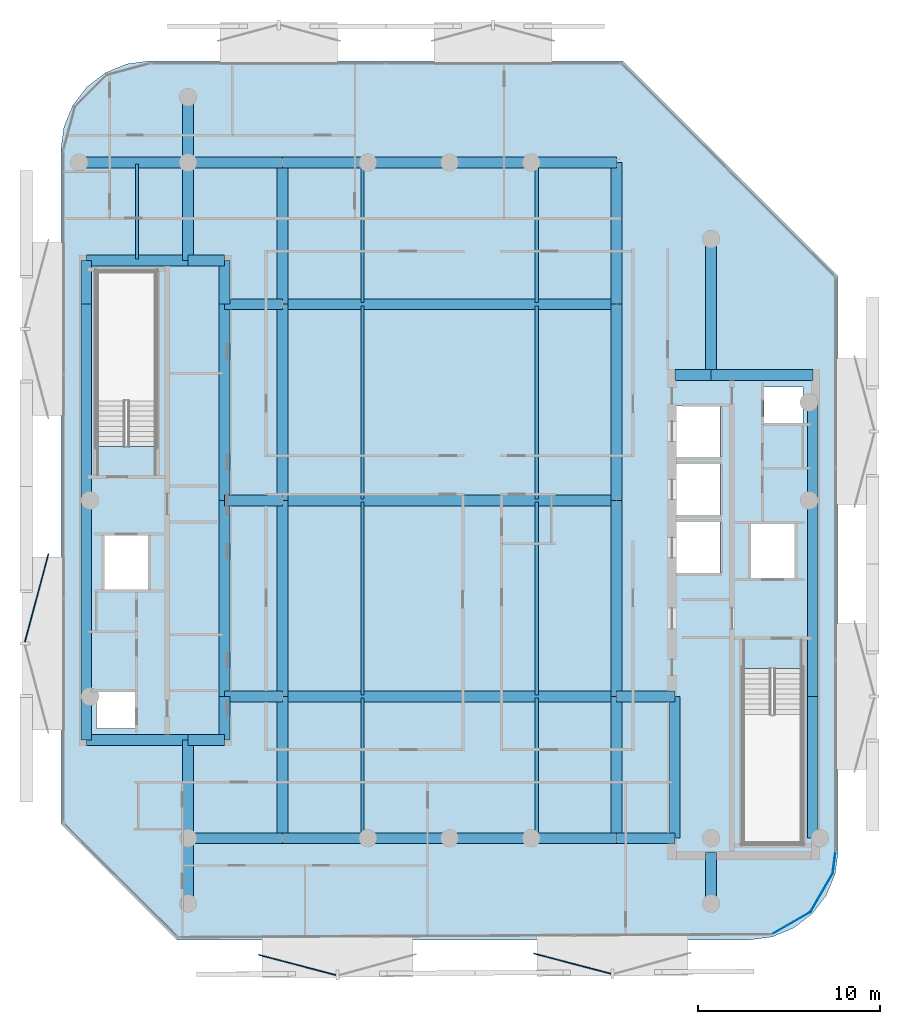
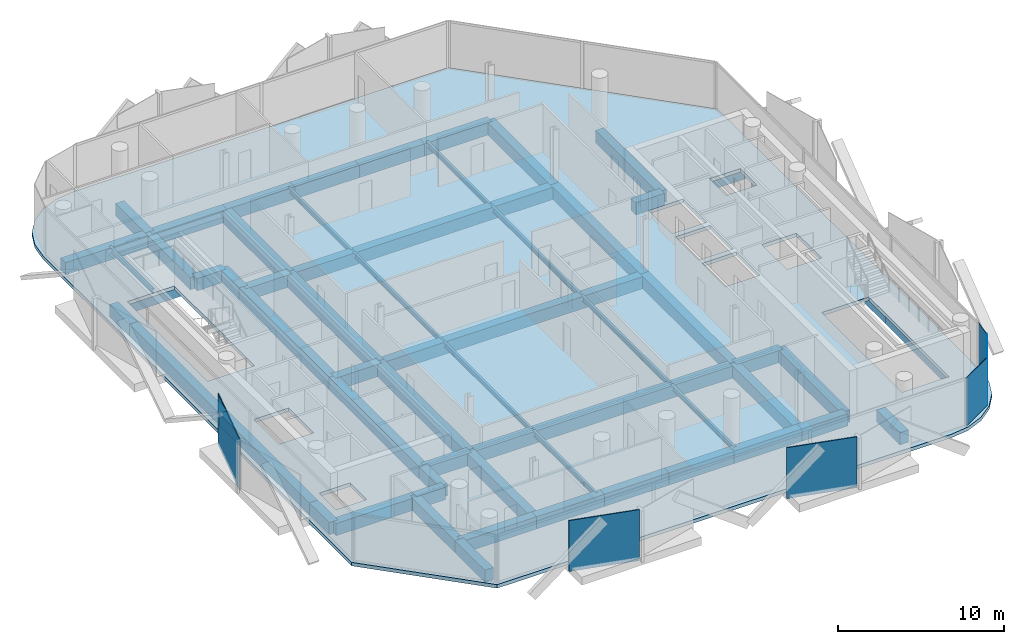
# One storey, part 3 of 15: 60 beams, 6 plates, 1 slab.
"""IFC4 building model written with IfcOpenShell, lengths in metres."""

from ifc_helpers import new_model, si_unit, direction, frame, origin, origin_2d, place, context, subcontext, project, spatial, polyline, rectangle, i_section, outline, extrude, material, layer, layer_set, material_profile, profile_set, type_object, element, save


model = new_model("IFC4")

# Units and contexts
model_context = context("Model", 3, precision=1e-05, world=origin(), true_north=direction((0.0, 1.0)))
body_context = subcontext(model_context, "Body", "Model", "MODEL_VIEW")
ifc_project = project(units=[si_unit("LENGTHUNIT", "METRE"), si_unit("AREAUNIT", "SQUARE_METRE"), si_unit("VOLUMEUNIT", "CUBIC_METRE"), si_unit("PLANEANGLEUNIT", "RADIAN"), si_unit("MASSUNIT", "GRAM", prefix="KILO")], contexts=[model_context])

# Site, building, storey
site_placement = place(None, origin())
site = spatial("IfcSite", under=ifc_project, at=site_placement, CompositionType="ELEMENT")
building_placement = place(site_placement, origin())
building = spatial("IfcBuilding", under=site, at=building_placement, Name="Khairoan Windgate Tower", CompositionType="ELEMENT")
storey_placement = place(building_placement, frame((0.0, 0.0, 289.0)))
storey = spatial("IfcBuildingStorey", under=building, at=storey_placement, Name="L69", CompositionType="ELEMENT", Elevation=289.0)

# Beams
ifc_material_1 = material(Name="Concrete C50/60", Category="concrete")
ifc_material_profile_1 = material_profile(ifc_material_1, rectangle(XDim=0.60009765625, YDim=0.89990234375, at=origin_2d()))
ifc_profile_set_1 = profile_set([ifc_material_profile_1], Name="Concrete C50/60")
beam_type_1 = type_object("IfcBeamType", Name="Beam B-RC1 RC600x900", PredefinedType="BEAM", material=ifc_profile_set_1)
beam_1_placement = place(storey_placement, frame((-14.39990234375, -18.60009765625, -0.7099609375), z_axis=(1.0, 0.0, 0.0), x_axis=(0.0, 1.0, 0.0)))
element("IfcBeam", 1, at=beam_1_placement, inside=storey, type_object=beam_type_1, Name="L69 E-W Primary Girder 01", PredefinedType="BEAM", context=body_context, shape_type="SweptSolid", body=[
    extrude(rectangle(XDim=0.60009765625, YDim=0.89990234375, at=origin_2d()), origin(), (0.0, 0.0, 1.0), 5.199951171875),
])
beam_2_placement = place(storey_placement, frame((-9.199951171875, -18.60009765625, -0.7099609375), z_axis=(1.0, 0.0, 0.0), x_axis=(0.0, 1.0, 0.0)))
element("IfcBeam", 2, at=beam_2_placement, inside=storey, type_object=beam_type_1, Name="L69 E-W Primary Girder 02", PredefinedType="BEAM", context=body_context, shape_type="SweptSolid", body=[
    extrude(rectangle(XDim=0.60009765625, YDim=0.89990234375, at=origin_2d()), origin(), (0.0, 0.0, 1.0), 4.699951171875),
])
for number, where, z_axis, x_axis, name in (
    (3, (-4.5, -18.60009765625, -0.7099609375), (1.0, 0.0, 0.0), (0.0, 1.0, 0.0), "L69 E-W Primary Girder 03"),
    (4, (0.0, -18.60009765625, -0.7099609375), (1.0, 0.0, 0.0), (0.0, 1.0, 0.0), "L69 E-W Primary Girder 04"),
):
    element("IfcBeam", number, at=place(storey_placement, frame(where, z_axis=z_axis, x_axis=x_axis)), inside=storey, type_object=beam_type_1, Name=name, PredefinedType="BEAM", context=body_context, shape_type="SweptSolid", body=[
        extrude(rectangle(XDim=0.60009765625, YDim=0.89990234375, at=origin_2d()), origin(), (0.0, 0.0, 1.0), 4.5),
    ])
beam_3_placement = place(storey_placement, frame((4.5, -18.60009765625, -0.7099609375), z_axis=(1.0, 0.0, 0.0), x_axis=(0.0, 1.0, 0.0)))
element("IfcBeam", 5, at=beam_3_placement, inside=storey, type_object=beam_type_1, Name="L69 E-W Primary Girder 05", PredefinedType="BEAM", context=body_context, shape_type="SweptSolid", body=[
    extrude(rectangle(XDim=0.60009765625, YDim=0.89990234375, at=origin_2d()), origin(), (0.0, 0.0, 1.0), 4.699951171875),
])
beam_4_placement = place(storey_placement, frame((9.199951171875, -18.60009765625, -0.7099609375), z_axis=(1.0, 0.0, 0.0), x_axis=(0.0, 1.0, 0.0)))
element("IfcBeam", 6, at=beam_4_placement, inside=storey, type_object=beam_type_1, Name="L69 E-W Primary Girder 06", PredefinedType="BEAM", context=body_context, shape_type="SweptSolid", body=[
    extrude(rectangle(XDim=0.60009765625, YDim=0.89990234375, at=origin_2d()), origin(), (0.0, 0.0, 1.0), 3.199951171875),
])
beam_5_placement = place(storey_placement, frame((-20.0, -13.199951171875, -0.7099609375), z_axis=(1.0, 0.0, 0.0), x_axis=(0.0, 1.0, 0.0)))
element("IfcBeam", 7, at=beam_5_placement, inside=storey, type_object=beam_type_1, Name="L69 E-W Primary Girder 07", PredefinedType="BEAM", context=body_context, shape_type="SweptSolid", body=[
    extrude(rectangle(XDim=0.60009765625, YDim=0.89990234375, at=origin_2d()), origin(), (0.0, 0.0, 1.0), 5.60009765625),
])
beam_6_placement = place(storey_placement, frame((-14.39990234375, -13.199951171875, -0.7099609375), z_axis=(1.0, 0.0, 0.0), x_axis=(0.0, 1.0, 0.0)))
element("IfcBeam", 8, at=beam_6_placement, inside=storey, type_object=beam_type_1, Name="L69 E-W Primary Girder 08", PredefinedType="BEAM", context=body_context, shape_type="SweptSolid", body=[
    extrude(rectangle(XDim=0.60009765625, YDim=0.89990234375, at=origin_2d()), origin(), (0.0, 0.0, 1.0), 2.0),
])
beam_7_placement = place(storey_placement, frame((-12.39990234375, -10.800048828125, -0.7099609375), z_axis=(1.0, 0.0, 0.0), x_axis=(0.0, 1.0, 0.0)))
element("IfcBeam", 9, at=beam_7_placement, inside=storey, type_object=beam_type_1, Name="L69 E-W Primary Girder 09", PredefinedType="BEAM", context=body_context, shape_type="SweptSolid", body=[
    extrude(rectangle(XDim=0.60009765625, YDim=0.89990234375, at=origin_2d()), origin(), (0.0, 0.0, 1.0), 3.199951171875),
])
beam_8_placement = place(storey_placement, frame((-9.199951171875, -10.800048828125, -0.7099609375), z_axis=(1.0, 0.0, 0.0), x_axis=(0.0, 1.0, 0.0)))
element("IfcBeam", 10, at=beam_8_placement, inside=storey, type_object=beam_type_1, Name="L69 E-W Primary Girder 10", PredefinedType="BEAM", context=body_context, shape_type="SweptSolid", body=[
    extrude(rectangle(XDim=0.60009765625, YDim=0.89990234375, at=origin_2d()), origin(), (0.0, 0.0, 1.0), 18.39990234375),
])
for number, where, z_axis, x_axis, name in (
    (11, (9.199951171875, -10.800048828125, -0.7099609375), (1.0, 0.0, 0.0), (0.0, 1.0, 0.0), "L69 E-W Primary Girder 11"),
    (12, (-12.39990234375, 0.0, -0.7099609375), (1.0, 0.0, 0.0), (0.0, 1.0, 0.0), "L69 E-W Primary Girder 12"),
):
    element("IfcBeam", number, at=place(storey_placement, frame(where, z_axis=z_axis, x_axis=x_axis)), inside=storey, type_object=beam_type_1, Name=name, PredefinedType="BEAM", context=body_context, shape_type="SweptSolid", body=[
        extrude(rectangle(XDim=0.60009765625, YDim=0.89990234375, at=origin_2d()), origin(), (0.0, 0.0, 1.0), 3.199951171875),
    ])
beam_9_placement = place(storey_placement, frame((-9.199951171875, 0.0, -0.7099609375), z_axis=(1.0, 0.0, 0.0), x_axis=(0.0, 1.0, 0.0)))
element("IfcBeam", 13, at=beam_9_placement, inside=storey, type_object=beam_type_1, Name="L69 E-W Primary Girder 13", PredefinedType="BEAM", context=body_context, shape_type="SweptSolid", body=[
    extrude(rectangle(XDim=0.60009765625, YDim=0.89990234375, at=origin_2d()), origin(), (0.0, 0.0, 1.0), 18.39990234375),
])
beam_10_placement = place(storey_placement, frame((12.39990234375, 6.89990234375, -0.7099609375), z_axis=(1.0, 0.0, 0.0), x_axis=(0.0, 1.0, 0.0)))
element("IfcBeam", 14, at=beam_10_placement, inside=storey, type_object=beam_type_1, Name="L69 E-W Primary Girder 14", PredefinedType="BEAM", context=body_context, shape_type="SweptSolid", body=[
    extrude(rectangle(XDim=0.60009765625, YDim=0.89990234375, at=origin_2d()), origin(), (0.0, 0.0, 1.0), 2.0),
])
beam_11_placement = place(storey_placement, frame((14.39990234375, 6.89990234375, -0.7099609375), z_axis=(1.0, 0.0, 0.0), x_axis=(0.0, 1.0, 0.0)))
element("IfcBeam", 15, at=beam_11_placement, inside=storey, type_object=beam_type_1, Name="L69 E-W Primary Girder 15", PredefinedType="BEAM", context=body_context, shape_type="SweptSolid", body=[
    extrude(rectangle(XDim=0.60009765625, YDim=0.89990234375, at=origin_2d()), origin(), (0.0, 0.0, 1.0), 5.60009765625),
])
beam_12_placement = place(storey_placement, frame((-12.39990234375, 10.800048828125, -0.7099609375), z_axis=(1.0, 0.0, 0.0), x_axis=(0.0, 1.0, 0.0)))
element("IfcBeam", 16, at=beam_12_placement, inside=storey, type_object=beam_type_1, Name="L69 E-W Primary Girder 16", PredefinedType="BEAM", context=body_context, shape_type="SweptSolid", body=[
    extrude(rectangle(XDim=0.60009765625, YDim=0.89990234375, at=origin_2d()), origin(), (0.0, 0.0, 1.0), 3.199951171875),
])
beam_13_placement = place(storey_placement, frame((-9.199951171875, 10.800048828125, -0.7099609375), z_axis=(1.0, 0.0, 0.0), x_axis=(0.0, 1.0, 0.0)))
element("IfcBeam", 17, at=beam_13_placement, inside=storey, type_object=beam_type_1, Name="L69 E-W Primary Girder 17", PredefinedType="BEAM", context=body_context, shape_type="SweptSolid", body=[
    extrude(rectangle(XDim=0.60009765625, YDim=0.89990234375, at=origin_2d()), origin(), (0.0, 0.0, 1.0), 18.39990234375),
])
beam_14_placement = place(storey_placement, frame((-20.0, 13.199951171875, -0.7099609375), z_axis=(1.0, 0.0, 0.0), x_axis=(0.0, 1.0, 0.0)))
element("IfcBeam", 18, at=beam_14_placement, inside=storey, type_object=beam_type_1, Name="L69 E-W Primary Girder 18", PredefinedType="BEAM", context=body_context, shape_type="SweptSolid", body=[
    extrude(rectangle(XDim=0.60009765625, YDim=0.89990234375, at=origin_2d()), origin(), (0.0, 0.0, 1.0), 5.60009765625),
])
beam_15_placement = place(storey_placement, frame((-14.39990234375, 13.199951171875, -0.7099609375), z_axis=(1.0, 0.0, 0.0), x_axis=(0.0, 1.0, 0.0)))
element("IfcBeam", 19, at=beam_15_placement, inside=storey, type_object=beam_type_1, Name="L69 E-W Primary Girder 19", PredefinedType="BEAM", context=body_context, shape_type="SweptSolid", body=[
    extrude(rectangle(XDim=0.60009765625, YDim=0.89990234375, at=origin_2d()), origin(), (0.0, 0.0, 1.0), 2.0),
])
beam_16_placement = place(storey_placement, frame((-20.39990234375, 18.60009765625, -0.7099609375), z_axis=(1.0, 0.0, 0.0), x_axis=(0.0, 1.0, 0.0)))
element("IfcBeam", 20, at=beam_16_placement, inside=storey, type_object=beam_type_1, Name="L69 E-W Primary Girder 20", PredefinedType="BEAM", context=body_context, shape_type="SweptSolid", body=[
    extrude(rectangle(XDim=0.60009765625, YDim=0.89990234375, at=origin_2d()), origin(), (0.0, 0.0, 1.0), 6.0),
])
beam_17_placement = place(storey_placement, frame((-14.39990234375, 18.60009765625, -0.7099609375), z_axis=(1.0, 0.0, 0.0), x_axis=(0.0, 1.0, 0.0)))
element("IfcBeam", 21, at=beam_17_placement, inside=storey, type_object=beam_type_1, Name="L69 E-W Primary Girder 21", PredefinedType="BEAM", context=body_context, shape_type="SweptSolid", body=[
    extrude(rectangle(XDim=0.60009765625, YDim=0.89990234375, at=origin_2d()), origin(), (0.0, 0.0, 1.0), 5.199951171875),
])
beam_18_placement = place(storey_placement, frame((-9.199951171875, 18.60009765625, -0.7099609375), z_axis=(1.0, 0.0, 0.0), x_axis=(0.0, 1.0, 0.0)))
element("IfcBeam", 22, at=beam_18_placement, inside=storey, type_object=beam_type_1, Name="L69 E-W Primary Girder 22", PredefinedType="BEAM", context=body_context, shape_type="SweptSolid", body=[
    extrude(rectangle(XDim=0.60009765625, YDim=0.89990234375, at=origin_2d()), origin(), (0.0, 0.0, 1.0), 4.699951171875),
])
for number, where, z_axis, x_axis, name in (
    (23, (-4.5, 18.60009765625, -0.7099609375), (1.0, 0.0, 0.0), (0.0, 1.0, 0.0), "L69 E-W Primary Girder 23"),
    (24, (0.0, 18.60009765625, -0.7099609375), (1.0, 0.0, 0.0), (0.0, 1.0, 0.0), "L69 E-W Primary Girder 24"),
):
    element("IfcBeam", number, at=place(storey_placement, frame(where, z_axis=z_axis, x_axis=x_axis)), inside=storey, type_object=beam_type_1, Name=name, PredefinedType="BEAM", context=body_context, shape_type="SweptSolid", body=[
        extrude(rectangle(XDim=0.60009765625, YDim=0.89990234375, at=origin_2d()), origin(), (0.0, 0.0, 1.0), 4.5),
    ])
beam_19_placement = place(storey_placement, frame((4.5, 18.60009765625, -0.7099609375), z_axis=(1.0, 0.0, 0.0), x_axis=(0.0, 1.0, 0.0)))
element("IfcBeam", 25, at=beam_19_placement, inside=storey, type_object=beam_type_1, Name="L69 E-W Primary Girder 25", PredefinedType="BEAM", context=body_context, shape_type="SweptSolid", body=[
    extrude(rectangle(XDim=0.60009765625, YDim=0.89990234375, at=origin_2d()), origin(), (0.0, 0.0, 1.0), 4.699951171875),
])
beam_20_placement = place(storey_placement, frame((-20.0, -13.199951171875, -0.7099609375), z_axis=(0.0, 1.0, 0.0), x_axis=(-1.0, 0.0, 0.0)))
element("IfcBeam", 26, at=beam_20_placement, inside=storey, type_object=beam_type_1, Name="L69 N-S Primary Beam 26", PredefinedType="BEAM", context=body_context, shape_type="SweptSolid", body=[
    extrude(rectangle(XDim=0.60009765625, YDim=0.89990234375, at=origin_2d()), origin(), (0.0, 0.0, 1.0), 2.39990234375),
])
for number, where, z_axis, x_axis, name in (
    (27, (-20.0, -10.800048828125, -0.7099609375), (0.0, 1.0, 0.0), (-1.0, 0.0, 0.0), "L69 N-S Primary Beam 27"),
    (28, (-20.0, 0.0, -0.7099609375), (0.0, 1.0, 0.0), (-1.0, 0.0, 0.0), "L69 N-S Primary Beam 28"),
):
    element("IfcBeam", number, at=place(storey_placement, frame(where, z_axis=z_axis, x_axis=x_axis)), inside=storey, type_object=beam_type_1, Name=name, PredefinedType="BEAM", context=body_context, shape_type="SweptSolid", body=[
        extrude(rectangle(XDim=0.60009765625, YDim=0.89990234375, at=origin_2d()), origin(), (0.0, 0.0, 1.0), 10.800048828125),
    ])
beam_21_placement = place(storey_placement, frame((-20.0, 10.800048828125, -0.7099609375), z_axis=(0.0, 1.0, 0.0), x_axis=(-1.0, 0.0, 0.0)))
element("IfcBeam", 29, at=beam_21_placement, inside=storey, type_object=beam_type_1, Name="L69 N-S Primary Beam 29", PredefinedType="BEAM", context=body_context, shape_type="SweptSolid", body=[
    extrude(rectangle(XDim=0.60009765625, YDim=0.89990234375, at=origin_2d()), origin(), (0.0, 0.0, 1.0), 2.39990234375),
])
beam_22_placement = place(storey_placement, frame((-14.39990234375, -22.199951171875, -0.7099609375), z_axis=(0.0, 1.0, 0.0), x_axis=(-1.0, 0.0, 0.0)))
element("IfcBeam", 30, at=beam_22_placement, inside=storey, type_object=beam_type_1, Name="L69 N-S Primary Beam 30", PredefinedType="BEAM", context=body_context, shape_type="SweptSolid", body=[
    extrude(rectangle(XDim=0.60009765625, YDim=0.89990234375, at=origin_2d()), origin(), (0.0, 0.0, 1.0), 3.599853515625),
])
for number, where, z_axis, x_axis, name in (
    (31, (-14.39990234375, -18.60009765625, -0.7099609375), (0.0, 1.0, 0.0), (-1.0, 0.0, 0.0), "L69 N-S Primary Beam 31"),
    (32, (-14.39990234375, 13.199951171875, -0.7099609375), (0.0, 1.0, 0.0), (-1.0, 0.0, 0.0), "L69 N-S Primary Beam 32"),
):
    element("IfcBeam", number, at=place(storey_placement, frame(where, z_axis=z_axis, x_axis=x_axis)), inside=storey, type_object=beam_type_1, Name=name, PredefinedType="BEAM", context=body_context, shape_type="SweptSolid", body=[
        extrude(rectangle(XDim=0.60009765625, YDim=0.89990234375, at=origin_2d()), origin(), (0.0, 0.0, 1.0), 5.400146484375),
    ])
beam_23_placement = place(storey_placement, frame((-14.39990234375, 18.60009765625, -0.7099609375), z_axis=(0.0, 1.0, 0.0), x_axis=(-1.0, 0.0, 0.0)))
element("IfcBeam", 33, at=beam_23_placement, inside=storey, type_object=beam_type_1, Name="L69 N-S Primary Beam 33", PredefinedType="BEAM", context=body_context, shape_type="SweptSolid", body=[
    extrude(rectangle(XDim=0.60009765625, YDim=0.89990234375, at=origin_2d()), origin(), (0.0, 0.0, 1.0), 3.599853515625),
])
beam_24_placement = place(storey_placement, frame((-12.39990234375, -13.199951171875, -0.7099609375), z_axis=(0.0, 1.0, 0.0), x_axis=(-1.0, 0.0, 0.0)))
element("IfcBeam", 34, at=beam_24_placement, inside=storey, type_object=beam_type_1, Name="L69 N-S Primary Beam 34", PredefinedType="BEAM", context=body_context, shape_type="SweptSolid", body=[
    extrude(rectangle(XDim=0.60009765625, YDim=0.89990234375, at=origin_2d()), origin(), (0.0, 0.0, 1.0), 2.39990234375),
])
for number, where, z_axis, x_axis, name in (
    (35, (-12.39990234375, -10.800048828125, -0.7099609375), (0.0, 1.0, 0.0), (-1.0, 0.0, 0.0), "L69 N-S Primary Beam 35"),
    (36, (-12.39990234375, 0.0, -0.7099609375), (0.0, 1.0, 0.0), (-1.0, 0.0, 0.0), "L69 N-S Primary Beam 36"),
):
    element("IfcBeam", number, at=place(storey_placement, frame(where, z_axis=z_axis, x_axis=x_axis)), inside=storey, type_object=beam_type_1, Name=name, PredefinedType="BEAM", context=body_context, shape_type="SweptSolid", body=[
        extrude(rectangle(XDim=0.60009765625, YDim=0.89990234375, at=origin_2d()), origin(), (0.0, 0.0, 1.0), 10.800048828125),
    ])
beam_25_placement = place(storey_placement, frame((-12.39990234375, 10.800048828125, -0.7099609375), z_axis=(0.0, 1.0, 0.0), x_axis=(-1.0, 0.0, 0.0)))
element("IfcBeam", 37, at=beam_25_placement, inside=storey, type_object=beam_type_1, Name="L69 N-S Primary Beam 37", PredefinedType="BEAM", context=body_context, shape_type="SweptSolid", body=[
    extrude(rectangle(XDim=0.60009765625, YDim=0.89990234375, at=origin_2d()), origin(), (0.0, 0.0, 1.0), 2.39990234375),
])
beam_26_placement = place(storey_placement, frame((-9.199951171875, -18.60009765625, -0.7099609375), z_axis=(0.0, 1.0, 0.0), x_axis=(-1.0, 0.0, 0.0)))
element("IfcBeam", 38, at=beam_26_placement, inside=storey, type_object=beam_type_1, Name="L69 N-S Primary Beam 38", PredefinedType="BEAM", context=body_context, shape_type="SweptSolid", body=[
    extrude(rectangle(XDim=0.60009765625, YDim=0.89990234375, at=origin_2d()), origin(), (0.0, 0.0, 1.0), 7.800048828125),
])
for number, where, z_axis, x_axis, name in (
    (39, (-9.199951171875, -10.800048828125, -0.7099609375), (0.0, 1.0, 0.0), (-1.0, 0.0, 0.0), "L69 N-S Primary Beam 39"),
    (40, (-9.199951171875, 0.0, -0.7099609375), (0.0, 1.0, 0.0), (-1.0, 0.0, 0.0), "L69 N-S Primary Beam 40"),
):
    element("IfcBeam", number, at=place(storey_placement, frame(where, z_axis=z_axis, x_axis=x_axis)), inside=storey, type_object=beam_type_1, Name=name, PredefinedType="BEAM", context=body_context, shape_type="SweptSolid", body=[
        extrude(rectangle(XDim=0.60009765625, YDim=0.89990234375, at=origin_2d()), origin(), (0.0, 0.0, 1.0), 10.800048828125),
    ])
for number, where, z_axis, x_axis, name in (
    (41, (-9.199951171875, 10.800048828125, -0.7099609375), (0.0, 1.0, 0.0), (-1.0, 0.0, 0.0), "L69 N-S Primary Beam 41"),
    (42, (9.199951171875, -18.60009765625, -0.7099609375), (0.0, 1.0, 0.0), (-1.0, 0.0, 0.0), "L69 N-S Primary Beam 42"),
):
    element("IfcBeam", number, at=place(storey_placement, frame(where, z_axis=z_axis, x_axis=x_axis)), inside=storey, type_object=beam_type_1, Name=name, PredefinedType="BEAM", context=body_context, shape_type="SweptSolid", body=[
        extrude(rectangle(XDim=0.60009765625, YDim=0.89990234375, at=origin_2d()), origin(), (0.0, 0.0, 1.0), 7.800048828125),
    ])
for number, where, z_axis, x_axis, name in (
    (43, (9.199951171875, -10.800048828125, -0.7099609375), (0.0, 1.0, 0.0), (-1.0, 0.0, 0.0), "L69 N-S Primary Beam 43"),
    (44, (9.199951171875, 0.0, -0.7099609375), (0.0, 1.0, 0.0), (-1.0, 0.0, 0.0), "L69 N-S Primary Beam 44"),
):
    element("IfcBeam", number, at=place(storey_placement, frame(where, z_axis=z_axis, x_axis=x_axis)), inside=storey, type_object=beam_type_1, Name=name, PredefinedType="BEAM", context=body_context, shape_type="SweptSolid", body=[
        extrude(rectangle(XDim=0.60009765625, YDim=0.89990234375, at=origin_2d()), origin(), (0.0, 0.0, 1.0), 10.800048828125),
    ])
for number, where, z_axis, x_axis, name in (
    (45, (9.199951171875, 10.800048828125, -0.7099609375), (0.0, 1.0, 0.0), (-1.0, 0.0, 0.0), "L69 N-S Primary Beam 45"),
    (46, (12.39990234375, -18.60009765625, -0.7099609375), (0.0, 1.0, 0.0), (-1.0, 0.0, 0.0), "L69 N-S Primary Beam 46"),
):
    element("IfcBeam", number, at=place(storey_placement, frame(where, z_axis=z_axis, x_axis=x_axis)), inside=storey, type_object=beam_type_1, Name=name, PredefinedType="BEAM", context=body_context, shape_type="SweptSolid", body=[
        extrude(rectangle(XDim=0.60009765625, YDim=0.89990234375, at=origin_2d()), origin(), (0.0, 0.0, 1.0), 7.800048828125),
    ])
beam_27_placement = place(storey_placement, frame((14.39990234375, -22.199951171875, -0.7099609375), z_axis=(0.0, 1.0, 0.0), x_axis=(-1.0, 0.0, 0.0)))
element("IfcBeam", 47, at=beam_27_placement, inside=storey, type_object=beam_type_1, Name="L69 N-S Primary Beam 47", PredefinedType="BEAM", context=body_context, shape_type="SweptSolid", body=[
    extrude(rectangle(XDim=0.60009765625, YDim=0.89990234375, at=origin_2d()), origin(), (0.0, 0.0, 1.0), 2.800048828125),
])
beam_28_placement = place(storey_placement, frame((14.39990234375, 6.89990234375, -0.7099609375), z_axis=(0.0, 1.0, 0.0), x_axis=(-1.0, 0.0, 0.0)))
element("IfcBeam", 48, at=beam_28_placement, inside=storey, type_object=beam_type_1, Name="L69 N-S Primary Beam 48", PredefinedType="BEAM", context=body_context, shape_type="SweptSolid", body=[
    extrude(rectangle(XDim=0.60009765625, YDim=0.89990234375, at=origin_2d()), origin(), (0.0, 0.0, 1.0), 7.5),
])
beam_29_placement = place(storey_placement, frame((20.0, -18.60009765625, -0.7099609375), z_axis=(0.0, 1.0, 0.0), x_axis=(-1.0, 0.0, 0.0)))
element("IfcBeam", 49, at=beam_29_placement, inside=storey, type_object=beam_type_1, Name="L69 N-S Primary Beam 49", PredefinedType="BEAM", context=body_context, shape_type="SweptSolid", body=[
    extrude(rectangle(XDim=0.60009765625, YDim=0.89990234375, at=origin_2d()), origin(), (0.0, 0.0, 1.0), 7.800048828125),
])
beam_30_placement = place(storey_placement, frame((20.0, -10.800048828125, -0.7099609375), z_axis=(0.0, 1.0, 0.0), x_axis=(-1.0, 0.0, 0.0)))
element("IfcBeam", 50, at=beam_30_placement, inside=storey, type_object=beam_type_1, Name="L69 N-S Primary Beam 50", PredefinedType="BEAM", context=body_context, shape_type="SweptSolid", body=[
    extrude(rectangle(XDim=0.60009765625, YDim=0.89990234375, at=origin_2d()), origin(), (0.0, 0.0, 1.0), 10.800048828125),
])
beam_31_placement = place(storey_placement, frame((20.0, 0.0, -0.7099609375), z_axis=(0.0, 1.0, 0.0), x_axis=(-1.0, 0.0, 0.0)))
element("IfcBeam", 51, at=beam_31_placement, inside=storey, type_object=beam_type_1, Name="L69 N-S Primary Beam 51", PredefinedType="BEAM", context=body_context, shape_type="SweptSolid", body=[
    extrude(rectangle(XDim=0.60009765625, YDim=0.89990234375, at=origin_2d()), origin(), (0.0, 0.0, 1.0), 5.39990234375),
])
ifc_material_2 = material(Name="Steel S355", Category="steel")
ifc_material_profile_2 = material_profile(ifc_material_2, i_section(OverallWidth=0.175048828125, OverallDepth=0.35009765625, WebThickness=0.007080078125, FlangeThickness=0.010986328125, FilletRadius=0.013916015625, at=origin_2d()))
ifc_profile_set_2 = profile_set([ifc_material_profile_2], Name="Steel S355")
beam_type_2 = type_object("IfcBeamType", Name="Beam J-S5 H350x175x7x11", PredefinedType="JOIST", material=ifc_profile_set_2)
beam_32_placement = place(storey_placement, frame((-17.199951171875, 13.2900390625, -0.43505859375), z_axis=(0.0, 1.0, 0.0), x_axis=(-1.0, 0.0, 0.0)))
element("IfcBeam", 52, at=beam_32_placement, inside=storey, type_object=beam_type_2, Name="L69 Secondary Floor Joist 01", PredefinedType="JOIST", context=body_context, shape_type="SweptSolid", body=[
    extrude(i_section(OverallWidth=0.175048828125, OverallDepth=0.35009765625, WebThickness=0.007080078125, FlangeThickness=0.010986328125, FilletRadius=0.013916015625, at=origin_2d()), origin(), (0.0, 0.0, 1.0), 5.219970703125),
])
beam_33_placement = place(storey_placement, frame((-4.800048828125, -18.510009765625, -0.43505859375), z_axis=(0.0, 1.0, 0.0), x_axis=(-1.0, 0.0, 0.0)))
element("IfcBeam", 53, at=beam_33_placement, inside=storey, type_object=beam_type_2, Name="L69 Secondary Floor Joist 02", PredefinedType="JOIST", context=body_context, shape_type="SweptSolid", body=[
    extrude(i_section(OverallWidth=0.175048828125, OverallDepth=0.35009765625, WebThickness=0.007080078125, FlangeThickness=0.010986328125, FilletRadius=0.013916015625, at=origin_2d()), origin(), (0.0, 0.0, 1.0), 7.6201171875),
])
for number, where, z_axis, x_axis, name in (
    (54, (-4.800048828125, -10.7099609375, -0.43505859375), (0.0, 1.0, 0.0), (-1.0, 0.0, 0.0), "L69 Secondary Floor Joist 03"),
    (55, (-4.800048828125, 0.090087890625, -0.43505859375), (0.0, 1.0, 0.0), (-1.0, 0.0, 0.0), "L69 Secondary Floor Joist 04"),
):
    element("IfcBeam", number, at=place(storey_placement, frame(where, z_axis=z_axis, x_axis=x_axis)), inside=storey, type_object=beam_type_2, Name=name, PredefinedType="JOIST", context=body_context, shape_type="SweptSolid", body=[
        extrude(i_section(OverallWidth=0.175048828125, OverallDepth=0.35009765625, WebThickness=0.007080078125, FlangeThickness=0.010986328125, FilletRadius=0.013916015625, at=origin_2d()), origin(), (0.0, 0.0, 1.0), 10.619873046875),
    ])
for number, where, z_axis, x_axis, name in (
    (56, (-4.800048828125, 10.889892578125, -0.43505859375), (0.0, 1.0, 0.0), (-1.0, 0.0, 0.0), "L69 Secondary Floor Joist 05"),
    (57, (4.800048828125, -18.510009765625, -0.43505859375), (0.0, 1.0, 0.0), (-1.0, 0.0, 0.0), "L69 Secondary Floor Joist 06"),
):
    element("IfcBeam", number, at=place(storey_placement, frame(where, z_axis=z_axis, x_axis=x_axis)), inside=storey, type_object=beam_type_2, Name=name, PredefinedType="JOIST", context=body_context, shape_type="SweptSolid", body=[
        extrude(i_section(OverallWidth=0.175048828125, OverallDepth=0.35009765625, WebThickness=0.007080078125, FlangeThickness=0.010986328125, FilletRadius=0.013916015625, at=origin_2d()), origin(), (0.0, 0.0, 1.0), 7.6201171875),
    ])
for number, where, z_axis, x_axis, name in (
    (58, (4.800048828125, -10.7099609375, -0.43505859375), (0.0, 1.0, 0.0), (-1.0, 0.0, 0.0), "L69 Secondary Floor Joist 07"),
    (59, (4.800048828125, 0.090087890625, -0.43505859375), (0.0, 1.0, 0.0), (-1.0, 0.0, 0.0), "L69 Secondary Floor Joist 08"),
):
    element("IfcBeam", number, at=place(storey_placement, frame(where, z_axis=z_axis, x_axis=x_axis)), inside=storey, type_object=beam_type_2, Name=name, PredefinedType="JOIST", context=body_context, shape_type="SweptSolid", body=[
        extrude(i_section(OverallWidth=0.175048828125, OverallDepth=0.35009765625, WebThickness=0.007080078125, FlangeThickness=0.010986328125, FilletRadius=0.013916015625, at=origin_2d()), origin(), (0.0, 0.0, 1.0), 10.619873046875),
    ])
beam_34_placement = place(storey_placement, frame((4.800048828125, 10.889892578125, -0.43505859375), z_axis=(0.0, 1.0, 0.0), x_axis=(-1.0, 0.0, 0.0)))
element("IfcBeam", 60, at=beam_34_placement, inside=storey, type_object=beam_type_2, Name="L69 Secondary Floor Joist 09", PredefinedType="JOIST", context=body_context, shape_type="SweptSolid", body=[
    extrude(i_section(OverallWidth=0.175048828125, OverallDepth=0.35009765625, WebThickness=0.007080078125, FlangeThickness=0.010986328125, FilletRadius=0.013916015625, at=origin_2d()), origin(), (0.0, 0.0, 1.0), 7.6201171875),
])

# Plates
ifc_material_3 = material(Name="Low-E Solar Control Laminated Glass", Category="glass")
ifc_layer_1 = layer(ifc_material_3, 0.030029296875, Name="Low-E Solar Control Laminated Glass")
ifc_layer_set_1 = layer_set([ifc_layer_1], Name="Low-E Solar Control Laminated Glass")
plate_type_1 = type_object("IfcPlateType", Name="Aerodynamic Wind-Corner Curved Glazing Plate", PredefinedType="USERDEFINED", material=ifc_layer_set_1)
plate_1_placement = place(storey_placement, frame((21.17822265625, -19.911376953125, 0.0), z_axis=(0.0, 0.0, 1.0), x_axis=(-0.13052619222, -0.991444861374, 0.0)))
element("IfcPlate", 61, at=plate_1_placement, inside=storey, type_object=plate_type_1, Name="L69 Aerodynamic Wind-Corner Curved Glazing Panel 10", ObjectType="GLAZING PANEL", PredefinedType="USERDEFINED", context=body_context, shape_type="SweptSolid", body=[
    extrude(rectangle(XDim=1.29150390625, YDim=0.035888671875, at=origin_2d()), origin(), (0.0, 0.0, 1.0), 3.5400390625),
])
for number, where, z_axis, x_axis, name in (
    (62, (20.480712890625, -21.598388671875, 0.0), (0.0, 0.0, 1.0), (-0.5, -0.866025403784, 0.0), "L69 Aerodynamic Wind-Corner Curved Glazing Panel 11"),
    (63, (18.79833984375, -23.28076171875, 0.0), (0.0, 0.0, 1.0), (-0.866025403784, -0.5, 0.0), "L69 Aerodynamic Wind-Corner Curved Glazing Panel 12"),
):
    element("IfcPlate", number, at=place(storey_placement, frame(where, z_axis=z_axis, x_axis=x_axis)), inside=storey, type_object=plate_type_1, Name=name, ObjectType="GLAZING PANEL", PredefinedType="USERDEFINED", context=body_context, shape_type="SweptSolid", body=[
        extrude(rectangle(XDim=2.50341796875, YDim=0.035888671875, at=origin_2d()), origin(), (0.0, 0.0, 1.0), 3.5400390625),
    ])
ifc_material_4 = material(Name="Anodised Bronze Aluminium 6063-T6", Category="aluminium")
ifc_layer_2 = layer(ifc_material_4, 0.054931640625, Name="Anodised Bronze Aluminium 6063-T6")
ifc_layer_set_2 = layer_set([ifc_layer_2], Name="Anodised Bronze Aluminium 6063-T6")
plate_type_2 = type_object("IfcPlateType", Name="Perforated Bronze Solar Screen Upper Panel BSP-2", PredefinedType="USERDEFINED", material=ifc_layer_set_2)
for number, where, z_axis, x_axis, name in (
    (64, (6.760986328125, -25.50341796875, -0.10009765625), (0.0, 0.0, 1.0), (-0.967223448927, 0.253926760789, 0.0), "L69 Perforated Bronze Solar Screen Panel 478R"),
    (65, (-8.3759765625, -25.5791015625, -0.10009765625), (0.0, 0.0, 1.0), (-0.967223448927, 0.253926760789, 0.0), "L69 Perforated Bronze Solar Screen Panel 479R"),
):
    element("IfcPlate", number, at=place(storey_placement, frame(where, z_axis=z_axis, x_axis=x_axis)), inside=storey, type_object=plate_type_2, Name=name, ObjectType="SCREEN", PredefinedType="USERDEFINED", context=body_context, shape_type="SweptSolid", body=[
        extrude(rectangle(XDim=4.389892578125, YDim=0.054931640625, at=origin_2d()), origin(), (0.0, 0.0, 1.0), 3.739990234375),
    ])
plate_2_placement = place(storey_placement, frame((-22.72998046875, -5.368408203125, -0.10009765625), z_axis=(0.0, 0.0, 1.0), x_axis=(0.258819045103, 0.965925826289, 0.0)))
element("IfcPlate", 66, at=plate_2_placement, inside=storey, type_object=plate_type_2, Name="L69 Perforated Bronze Solar Screen Panel 480R", ObjectType="SCREEN", PredefinedType="USERDEFINED", context=body_context, shape_type="SweptSolid", body=[
    extrude(rectangle(XDim=5.02197265625, YDim=0.054931640625, at=origin_2d()), origin(), (0.0, 0.0, 1.0), 3.739990234375),
])

# Slab
ifc_material_5 = material(Name="Concrete C40/50", Category="concrete")
ifc_layer_3 = layer(ifc_material_5, 0.260009765625, Name="Concrete C40/50")
ifc_layer_set_3 = layer_set([ifc_layer_3], Name="Concrete C40/50")
slab_type = type_object("IfcSlabType", Name="Tower Composite Floor Slab FS2 260mm", PredefinedType="FLOOR", material=ifc_layer_set_3)
slab_placement = place(storey_placement, frame((0.0, 0.0, -0.260009765625)))
element("IfcSlab", 67, at=slab_placement, inside=storey, type_object=slab_type, Name="L69 Structural Floor Slab", PredefinedType="FLOOR", context=body_context, shape_type="SweptSolid", body=[
    extrude(outline(polyline([(16.5, -24.199951171875), (17.768310546875, -24.032958984375), (18.949951171875, -23.54345703125), (19.96484375, -22.764892578125), (20.743408203125, -21.75), (21.23291015625, -20.568115234375), (21.39990234375, -19.300048828125), (21.39990234375, 12.340087890625), (9.5400390625, 24.199951171875), (-16.5, 24.199951171875), (-17.768310546875, 24.032958984375), (-18.949951171875, 23.54345703125), (-19.96484375, 22.764892578125), (-20.743408203125, 21.75), (-21.23291015625, 20.568115234375), (-21.39990234375, 19.300048828125), (-21.39990234375, -17.800048828125), (-15.0, -24.199951171875), (16.5, -24.199951171875)]), holes=[polyline([(16.14990234375, -9.260009765625), (16.14990234375, -18.89990234375), (19.419921875, -18.89990234375), (19.419921875, -9.260009765625), (16.14990234375, -9.260009765625)]), polyline([(-16.14990234375, 2.9599609375), (-16.14990234375, 12.60009765625), (-19.419921875, 12.60009765625), (-19.419921875, 2.9599609375), (-16.14990234375, 2.9599609375)]), polyline([(12.5, 2.39990234375), (14.89990234375, 2.39990234375), (14.89990234375, 5.199951171875), (12.5, 5.199951171875), (12.5, 2.39990234375)]), polyline([(12.5, -0.800048828125), (14.89990234375, -0.800048828125), (14.89990234375, 2.0), (12.5, 2.0), (12.5, -0.800048828125)]), polyline([(12.5, -4.0), (14.89990234375, -4.0), (14.89990234375, -1.199951171875), (12.5, -1.199951171875), (12.5, -4.0)]), polyline([(16.60009765625, -4.300048828125), (19.0, -4.300048828125), (19.0, -1.300048828125), (16.60009765625, -1.300048828125), (16.60009765625, -4.300048828125)]), polyline([(-19.0, -4.89990234375), (-16.60009765625, -4.89990234375), (-16.60009765625, -1.89990234375), (-19.0, -1.89990234375), (-19.0, -4.89990234375)]), polyline([(-19.449951171875, -12.550048828125), (-17.31005859375, -12.550048828125), (-17.31005859375, -10.550048828125), (-19.449951171875, -10.550048828125), (-19.449951171875, -12.550048828125)]), polyline([(17.31005859375, 4.25), (19.449951171875, 4.25), (19.449951171875, 6.25), (17.31005859375, 6.25), (17.31005859375, 4.25)])]), origin(), (0.0, 0.0, 1.0), 0.260009765625),
])

save(model, "model.ifc")
